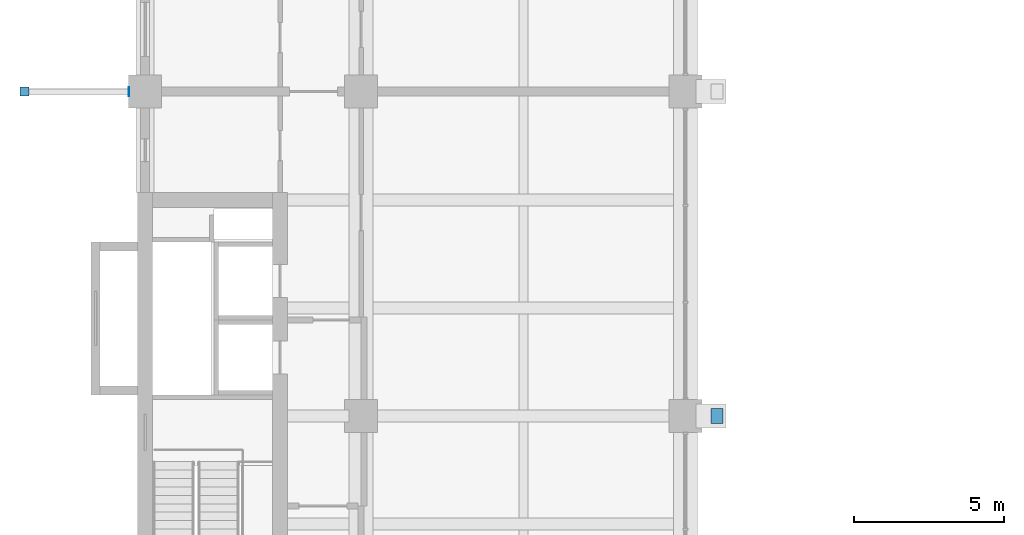
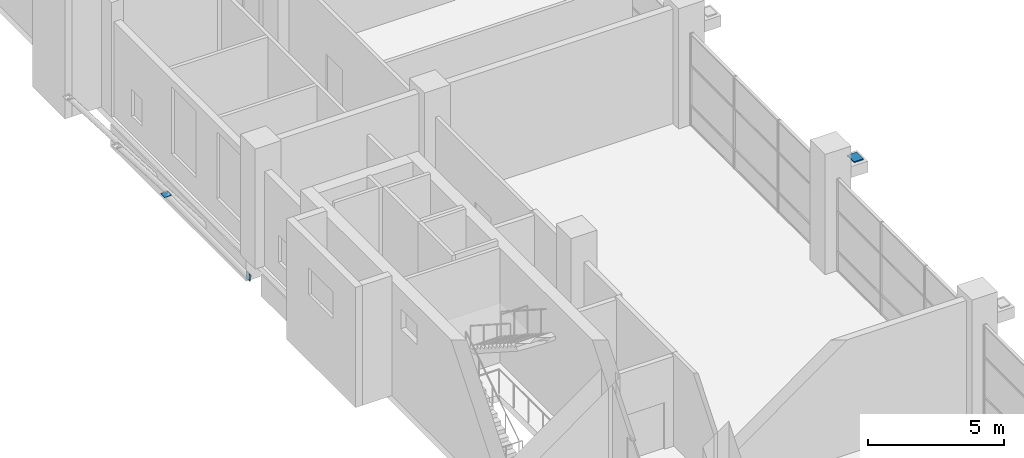
# One storey, part 30 of 38: 3 discrete accessories.
"""IFC4 building model written with IfcOpenShell, lengths in metres."""

from ifc_helpers import new_model, si_unit, direction, frame, origin, origin_2d, place, context, subcontext, project, spatial, rectangle, extrude, material, type_object, element, save


model = new_model("IFC4")

# Units and contexts
model_context = context("Model", 3, precision=1e-05, world=origin(), true_north=direction((0.0, 1.0)))
body_context = subcontext(model_context, "Body", "Model", "MODEL_VIEW")
ifc_project = project(units=[si_unit("LENGTHUNIT", "METRE"), si_unit("AREAUNIT", "SQUARE_METRE"), si_unit("VOLUMEUNIT", "CUBIC_METRE"), si_unit("PLANEANGLEUNIT", "RADIAN"), si_unit("MASSUNIT", "GRAM", prefix="KILO")], contexts=[model_context])

# Site, building, storey
site_placement = place(None, origin())
site = spatial("IfcSite", under=ifc_project, at=site_placement, CompositionType="ELEMENT")
building_placement = place(site_placement, origin())
building = spatial("IfcBuilding", under=site, at=building_placement, Name="Basin Gate Institute", CompositionType="ELEMENT")
storey_placement = place(building_placement, frame((0.0, 0.0, 16.800048828125)))
storey = spatial("IfcBuildingStorey", under=building, at=storey_placement, Name="L03", CompositionType="ELEMENT", Elevation=16.800048828125)

# Discrete accessories
ifc_material_1 = material(Name="Structural steel SN490", Category="steel")
discrete_accessory_type_1 = type_object("IfcDiscreteAccessoryType", Name="Brace end plate BP300", PredefinedType="BRACKET", material=ifc_material_1)
discrete_accessory_1_placement = place(storey_placement, frame((60.665283203125, 78.300048828125, -0.80126953125), z_axis=(0.0, 0.0, 1.0), x_axis=(1.0, 0.0, 0.0)))
element("IfcDiscreteAccessory", 1, at=discrete_accessory_1_placement, inside=storey, type_object=discrete_accessory_type_1, material=ifc_material_1, Name="Tray bracket W L04 tray 2.1 end plate 1", PredefinedType="BRACKET", context=body_context, shape_type="SweptSolid", body=[
    extrude(rectangle(XDim=0.02001953125, YDim=0.300048828125, at=origin_2d()), origin(), (0.0, 0.0, 1.0), 0.300048828125),
])
discrete_accessory_2_placement = place(storey_placement, frame((57.178955078125, 78.300048828125, 4.22998046875), z_axis=(0.0, 0.0, 1.0), x_axis=(1.0, 0.0, 0.0)))
element("IfcDiscreteAccessory", 2, at=discrete_accessory_2_placement, inside=storey, type_object=discrete_accessory_type_1, material=ifc_material_1, Name="Tray bracket W L04 tray 2.1 end plate 2", PredefinedType="BRACKET", context=body_context, shape_type="SweptSolid", body=[
    extrude(rectangle(XDim=0.300048828125, YDim=0.300048828125, at=origin_2d()), origin(), (0.0, 0.0, 1.0), 0.02001953125),
])
ifc_material_2 = material(Name="Stainless steel plate on PTFE sliding surface", Category="steel")
discrete_accessory_type_2 = type_object("IfcDiscreteAccessoryType", Name="Sliding bearing BR1", PredefinedType="SHOE", material=ifc_material_2)
discrete_accessory_3_placement = place(storey_placement, frame((80.25, 67.5, 4.35009765625), z_axis=(0.0, 0.0, 1.0), x_axis=(1.0, 0.0, 0.0)))
element("IfcDiscreteAccessory", 3, at=discrete_accessory_3_placement, inside=storey, type_object=discrete_accessory_type_2, material=ifc_material_2, Name="Atrium shell sliding bearing 4W", PredefinedType="SHOE", context=body_context, shape_type="SweptSolid", body=[
    extrude(rectangle(XDim=0.39990234375, YDim=0.5, at=origin_2d()), origin(), (0.0, 0.0, 1.0), 0.050048828125),
])

save(model, "model.ifc")
